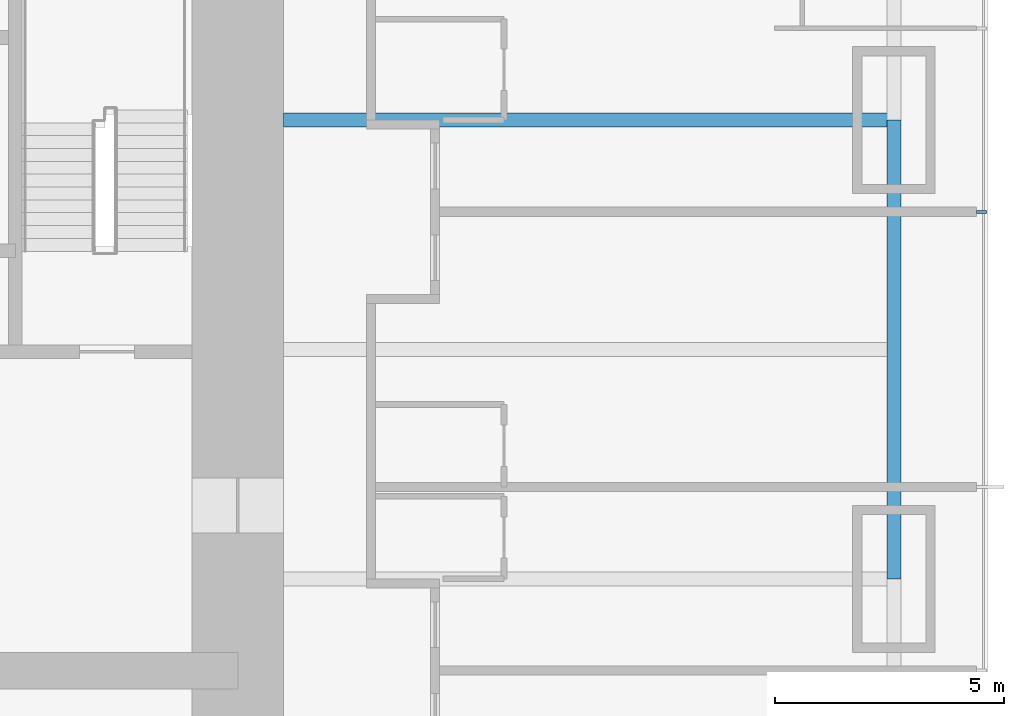
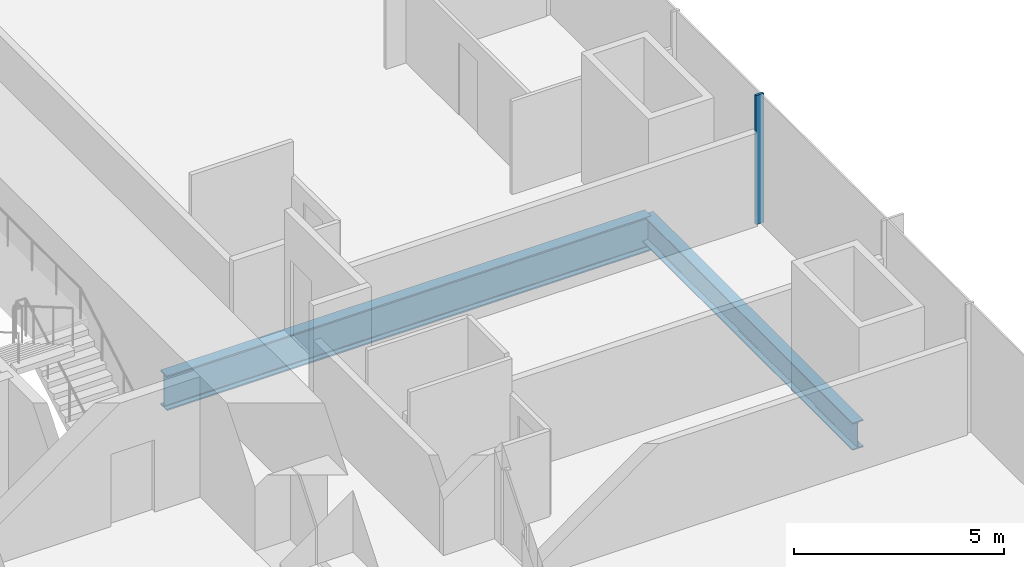
# One storey, part 5 of 17: 2 beams, 1 member, 1 element without a shape of its own.
"""IFC4 building model written with IfcOpenShell, lengths in metres."""

from ifc_helpers import new_model, si_unit, direction, frame, origin, origin_2d, place, context, subcontext, project, spatial, rectangle, i_section, extrude, material, material_profile, profile_set, type_object, element, aggregate, save


model = new_model("IFC4")

# Units and contexts
model_context = context("Model", 3, precision=1e-05, world=origin(), true_north=direction((0.0, 1.0)))
body_context = subcontext(model_context, "Body", "Model", "MODEL_VIEW")
ifc_project = project(units=[si_unit("LENGTHUNIT", "METRE"), si_unit("AREAUNIT", "SQUARE_METRE"), si_unit("VOLUMEUNIT", "CUBIC_METRE"), si_unit("PLANEANGLEUNIT", "RADIAN"), si_unit("MASSUNIT", "GRAM", prefix="KILO")], contexts=[model_context])

# Site, building, storey
site_placement = place(None, origin())
site = spatial("IfcSite", under=ifc_project, at=site_placement, CompositionType="ELEMENT")
building_placement = place(site_placement, origin())
building = spatial("IfcBuilding", under=site, at=building_placement, Name="Khuree Lantern Residences", CompositionType="ELEMENT")
storey_placement = place(building_placement, frame((0.0, 0.0, 36.0)))
storey = spatial("IfcBuildingStorey", under=building, at=storey_placement, Name="L08", CompositionType="ELEMENT", Elevation=36.0)

# Beams
ifc_material_1 = material(Name="Steel S355", Category="steel")
ifc_material_profile_1 = material_profile(ifc_material_1, i_section(OverallWidth=0.300048828125, OverallDepth=0.7900390625, WebThickness=0.014892578125, FlangeThickness=0.028076171875, FilletRadius=0.030029296875, at=origin_2d()), Name="HE 800 A")
ifc_profile_set_1 = profile_set([ifc_material_profile_1], Name="Steel S355")
beam_type_1 = type_object("IfcBeamType", Name="E-12 SPANDREL BEAM HE 800 A", PredefinedType="SPANDREL", material=ifc_profile_set_1)
beam_1_placement = place(storey_placement, frame((29.800048828125, 0.0, -0.64501953125), z_axis=(0.0, -1.0, 0.0), x_axis=(1.0, 0.0, 0.0)))
element("IfcBeam", 1, at=beam_1_placement, inside=storey, type_object=beam_type_1, Name="Spandrel beam E4", PredefinedType="SPANDREL", context=body_context, shape_type="SweptSolid", body=[
    extrude(i_section(OverallWidth=0.300048828125, OverallDepth=0.7900390625, WebThickness=0.014892578125, FlangeThickness=0.028076171875, FilletRadius=0.030029296875, at=origin_2d()), origin(), (0.0, 0.0, 1.0), 10.0),
])
ifc_material_profile_2 = material_profile(ifc_material_1, i_section(OverallWidth=0.302001953125, OverallDepth=1.008056640625, WebThickness=0.02099609375, FlangeThickness=0.0400390625, FilletRadius=0.030029296875, at=origin_2d()), Name="HE 1000 M")
ifc_profile_set_2 = profile_set([ifc_material_profile_2], Name="Steel S355")
beam_type_2 = type_object("IfcBeamType", Name="G-12 GIRDER HE 1000 M", PredefinedType="BEAM", material=ifc_profile_set_2)
beam_2_placement = place(storey_placement, frame((29.800048828125, 0.0, -0.75390625), z_axis=(-1.0, 0.0, 0.0), x_axis=(0.0, -1.0, 0.0)))
element("IfcBeam", 2, at=beam_2_placement, inside=storey, type_object=beam_type_2, Name="Girder E3", PredefinedType="BEAM", context=body_context, shape_type="SweptSolid", body=[
    extrude(i_section(OverallWidth=0.302001953125, OverallDepth=1.008056640625, WebThickness=0.02099609375, FlangeThickness=0.0400390625, FilletRadius=0.030029296875, at=origin_2d()), origin(), (0.0, 0.0, 1.0), 13.300048828125),
])

# Curtain wall, member
ifc_material_2 = material(Name="Bronze anodised aluminium", Category="aluminium")
curtain_wall_type = type_object("IfcCurtainWallType", Name="CW-T1 TOWER FACE CURTAIN WALL", PredefinedType="USERDEFINED", material=ifc_material_2)
curtain_wall_placement = place(storey_placement, origin())
curtain_wall = element("IfcCurtainWall", 3, at=curtain_wall_placement, inside=storey, type_object=curtain_wall_type, Name="L08 EAST FACE CURTAIN WALL", ObjectType="Stick-built curtain wall", PredefinedType="USERDEFINED")
ifc_material_profile_3 = material_profile(ifc_material_2, rectangle(XDim=0.06494140625, YDim=0.219970703125, at=origin_2d()), Name="M1 65X220")
ifc_profile_set_3 = profile_set([ifc_material_profile_3], Name="Bronze anodised aluminium")
member_type = type_object("IfcMemberType", Name="M1 BRONZE MULLION TOWER 65X220", PredefinedType="MULLION", material=ifc_profile_set_3)
member_placement = place(storey_placement, frame((31.7099609375, -2.0, 0.0), z_axis=(0.0, 0.0, 1.0), x_axis=(0.0, 1.0, 0.0)))
member = element("IfcMember", 4, at=member_placement, type_object=member_type, Name="L08 EAST FACE MULLION 9", PredefinedType="MULLION", context=body_context, shape_type="SweptSolid", body=[
    extrude(rectangle(XDim=0.06494140625, YDim=0.219970703125, at=origin_2d()), origin(), (0.0, 0.0, 1.0), 3.75),
])
aggregate(curtain_wall, [member])

save(model, "model.ifc")
